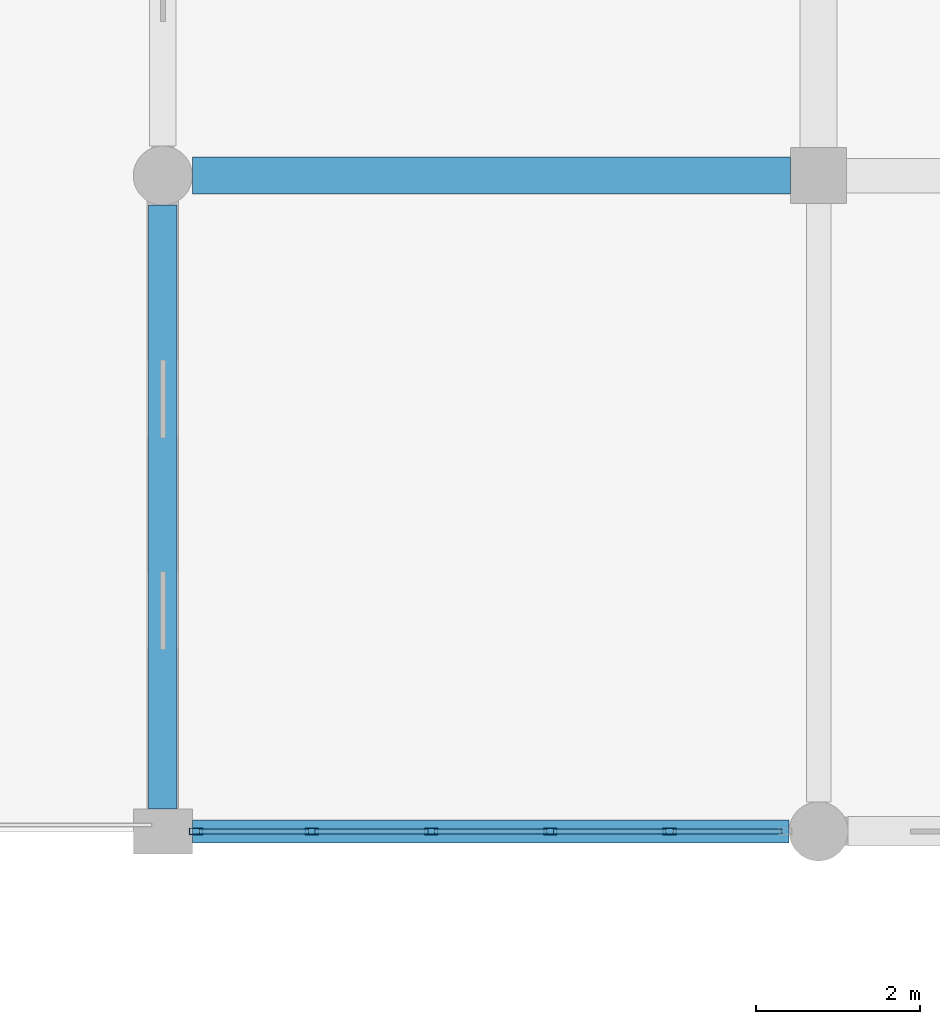
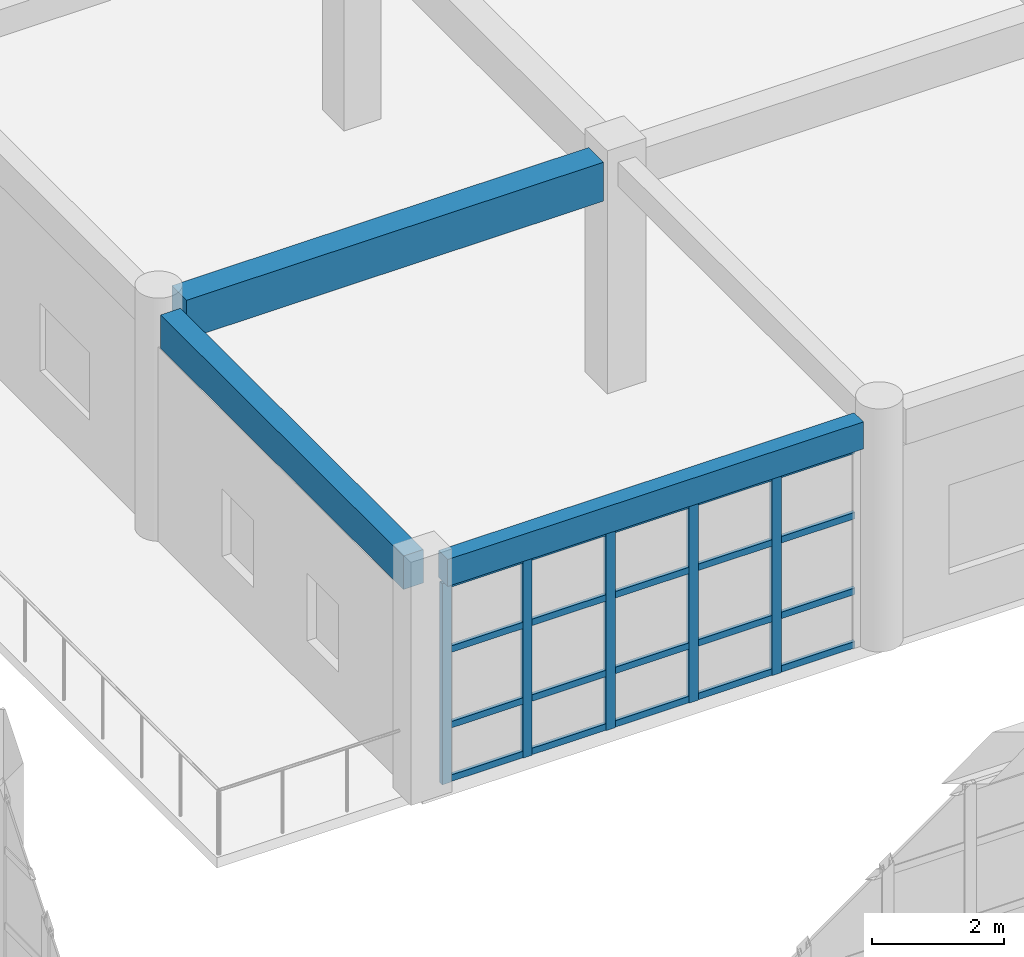
# One storey, part 90 of 160: 25 members, 3 beams, 1 element without a shape of its own.
"""IFC4 building model written with IfcOpenShell, lengths in metres."""

import ifcopenshell
import ifcopenshell.guid

model = None  # the IFC model being written
_history = None  # IfcOwnerHistory: only IFC2X3 demands one
_inside = {}  # id of a spatial element -> (the spatial element, [elements in it])
_under = {}  # id of a project, library or spatial element -> (it, [spatial elements below it])
_declared = {}  # id of a project -> (the project, [libraries it declares])
_typed = {}  # id of a type object -> (the type object, [elements of that type])
_made_of = {}  # id of a material, layer set ... -> (it, [elements and type objects made of it])


def new_model(schema):
    """Start an empty IFC model of exactly this schema.

    Asked for "IFC4X3", IfcOpenShell would pick the latest addendum, in which some entities
    have other attributes; the version numbers below select the first issue.
    IFC2X3 requires an IfcOwnerHistory on every rooted entity: one is made here for all.
    """
    global model, _history
    if schema == "IFC4X3":
        model = ifcopenshell.file(schema_version=(4, 3, 0, 0))
    else:
        model = ifcopenshell.file(schema=schema)
    _inside.clear()
    _under.clear()
    _declared.clear()
    _typed.clear()
    _made_of.clear()
    _history = None
    if model.schema == "IFC2X3":
        org = make("IfcOrganization", Name="unknown")
        user = make(
            "IfcPersonAndOrganization",
            ThePerson=make("IfcPerson", FamilyName="unknown"),
            TheOrganization=org,
        )
        app = make(
            "IfcApplication",
            ApplicationDeveloper=org,
            Version="unknown",
            ApplicationFullName="unknown",
            ApplicationIdentifier="unknown",
        )
        _history = make(
            "IfcOwnerHistory",
            OwningUser=user,
            OwningApplication=app,
            ChangeAction="ADDED",
            CreationDate=0,
        )
    return model


def make(cls, **values):
    """One entity of the class cls with the attributes given. An attribute that is None is left unset."""
    return model.create_entity(
        cls, **{name: value for name, value in values.items() if value is not None}
    )


def rooted(cls, **values):
    """An entity with a GlobalId (a new one), such as an element, a storey or a relation."""
    return make(cls, GlobalId=ifcopenshell.guid.new(), OwnerHistory=_history, **values)


def si_unit(unit_type, name, prefix=None):
    """IfcSIUnit, for example si_unit("LENGTHUNIT", "METRE", prefix="MILLI")."""
    return make("IfcSIUnit", UnitType=unit_type, Prefix=prefix, Name=name)


def assignment(units):
    """IfcUnitAssignment: the units of a project."""
    return None if units is None else make("IfcUnitAssignment", Units=units)


def point(xyz):
    """IfcCartesianPoint."""
    return None if xyz is None else make("IfcCartesianPoint", Coordinates=xyz)


def direction(xyz):
    """IfcDirection."""
    return None if xyz is None else make("IfcDirection", DirectionRatios=xyz)


def frame(location, z_axis=None, x_axis=None):
    """IfcAxis2Placement3D, a coordinate frame: its origin and axes. An axis left out is left unset."""
    return make(
        "IfcAxis2Placement3D",
        Location=point(location),
        Axis=direction(z_axis),
        RefDirection=direction(x_axis),
    )


def frame_2d(location, x_axis=None):
    """IfcAxis2Placement2D, a coordinate frame in the plane: its origin and x axis."""
    return make(
        "IfcAxis2Placement2D", Location=point(location), RefDirection=direction(x_axis)
    )


def origin():
    """The frame at (0, 0, 0) with its axes left unset."""
    return frame((0.0, 0.0, 0.0))


def origin_2d():
    """The frame at (0, 0) in the plane with its x axis left unset."""
    return frame_2d((0.0, 0.0))


def place(relative_to, where):
    """IfcLocalPlacement: puts the frame where relative to a parent placement (None: the world)."""
    return make(
        "IfcLocalPlacement", PlacementRelTo=relative_to, RelativePlacement=where
    )


def context(
    kind, dimensions, precision=None, world=None, true_north=None, identifier=None
):
    """IfcGeometricRepresentationContext, for example the 3D "Model" context."""
    return make(
        "IfcGeometricRepresentationContext",
        ContextIdentifier=identifier,
        ContextType=kind,
        CoordinateSpaceDimension=dimensions,
        Precision=precision,
        WorldCoordinateSystem=world,
        TrueNorth=true_north,
    )


def subcontext(parent, identifier, kind, view, scale=None):
    """IfcGeometricRepresentationSubContext, for example "Body" below "Model"."""
    return make(
        "IfcGeometricRepresentationSubContext",
        ContextIdentifier=identifier,
        ContextType=kind,
        ParentContext=parent,
        TargetScale=scale,
        TargetView=view,
    )


def project(units=None, contexts=None):
    """IfcProject with its units and contexts."""
    return rooted(
        "IfcProject",
        Name="project",
        RepresentationContexts=contexts,
        UnitsInContext=assignment(units),
    )


def spatial(cls, under=None, at=None, **own):
    """A site, building, storey or space (cls), placed at a placement, below another one or the project."""
    s = rooted(cls, ObjectPlacement=at, **own)
    if under is not None:
        _under.setdefault(under.id(), (under, []))[1].append(s)
    return s


def profile(cls, at=None, kind="AREA", **sizes):
    """A parametric profile (cls). Its sizes go by their IFC names, for example OverallWidth=200.0."""
    return make(cls, ProfileType=kind, Position=at, **sizes)


def rectangle(**sizes):
    """IfcRectangleProfileDef."""
    return profile("IfcRectangleProfileDef", **sizes)


def hollow_rectangle(**sizes):
    """IfcRectangleHollowProfileDef."""
    return profile("IfcRectangleHollowProfileDef", **sizes)


def extrude(swept, where, along, depth):
    """IfcExtrudedAreaSolid: the profile swept, set in the frame where, extruded along a direction by depth."""
    return make(
        "IfcExtrudedAreaSolid",
        SweptArea=swept,
        Position=where,
        ExtrudedDirection=direction(along),
        Depth=depth,
    )


def shape(context_of_items, identifier, shape_type, items):
    """IfcShapeRepresentation: the items that make up one representation, for example the "Body"."""
    return make(
        "IfcShapeRepresentation",
        ContextOfItems=context_of_items,
        RepresentationIdentifier=identifier,
        RepresentationType=shape_type,
        Items=items,
    )


def material(Name=None, Category=None):
    """IfcMaterial."""
    return make("IfcMaterial", Name=Name, Category=Category)


def material_profile(
    of_material, cross_section, Name=None, Category=None, Priority=None
):
    """IfcMaterialProfile: a cross section and its material."""
    return make(
        "IfcMaterialProfile",
        Name=Name,
        Material=of_material,
        Profile=cross_section,
        Priority=Priority,
        Category=Category,
    )


def profile_set(profiles, Name=None, composite=None):
    """IfcMaterialProfileSet."""
    return make(
        "IfcMaterialProfileSet",
        Name=Name,
        MaterialProfiles=profiles,
        CompositeProfile=composite,
    )


def made_of(thing, what):
    """Note that an element or type object is made of a material, layer set ...; save() writes the relation."""
    if what is not None:
        _made_of.setdefault(what.id(), (what, []))[1].append(thing)
    return thing


def type_object(cls, material=None, **own):
    """A type object (cls), such as IfcWallType, which elements share."""
    return made_of(rooted(cls, **own), material)


def element(
    cls,
    number,
    at=None,
    inside=None,
    cuts=None,
    type_object=None,
    material=None,
    context=None,
    identifier="Body",
    shape_type=None,
    held_by="IfcProductDefinitionShape",
    body=None,
    shapes=None,
    **own,
):
    """One element of the class cls, such as IfcWall. Its Tag is "e" and its number.

    at: its placement. inside: the storey or other place that contains it. cuts: it is an
    opening in that element (IfcRelVoidsElement). A single representation is given by context,
    identifier, shape_type and body (its items); several are given by shapes. held_by: the class
    of the entity that holds the representations. save() writes the other relations.
    """
    e = rooted(cls, Tag="e%d" % number, ObjectPlacement=at, **own)
    if body is not None:
        shapes = [shape(context, identifier, shape_type, body)]
    if shapes is not None:
        e.Representation = make(held_by, Representations=shapes)
    if inside is not None:
        _inside.setdefault(inside.id(), (inside, []))[1].append(e)
    if cuts is not None:
        rooted(
            "IfcRelVoidsElement", RelatingBuildingElement=cuts, RelatedOpeningElement=e
        )
    if type_object is not None:
        _typed.setdefault(type_object.id(), (type_object, []))[1].append(e)
    return made_of(e, material)


def aggregate(whole, parts):
    """IfcRelAggregates: a whole, such as a stair, and the parts it consists of."""
    return rooted("IfcRelAggregates", RelatingObject=whole, RelatedObjects=parts)


def save(model, path):
    """Write the relations noted so far, then the file.

    IfcRelAggregates (storeys below a building ...), IfcRelContainedInSpatialStructure (elements
    in a storey), IfcRelDefinesByType, IfcRelAssociatesMaterial and IfcRelDeclares: one each for
    every whole, place, type object, material and project.
    """
    for whole, parts in _under.values():
        aggregate(whole, parts)
    for where, things in _inside.values():
        rooted(
            "IfcRelContainedInSpatialStructure",
            RelatedElements=things,
            RelatingStructure=where,
        )
    for kind, things in _typed.values():
        rooted("IfcRelDefinesByType", RelatedObjects=things, RelatingType=kind)
    for what, things in _made_of.values():
        rooted("IfcRelAssociatesMaterial", RelatedObjects=things, RelatingMaterial=what)
    for by, libraries in _declared.values():
        rooted("IfcRelDeclares", RelatingContext=by, RelatedDefinitions=libraries)
    model.write(path)


model = new_model("IFC4")

# Units and contexts
model_context = context("Model", 3, precision=1e-05, world=origin(), true_north=direction((0.0, 1.0)))
body_context = subcontext(model_context, "Body", "Model", "MODEL_VIEW")
ifc_project = project(units=[si_unit("LENGTHUNIT", "METRE"), si_unit("AREAUNIT", "SQUARE_METRE"), si_unit("VOLUMEUNIT", "CUBIC_METRE"), si_unit("PLANEANGLEUNIT", "RADIAN"), si_unit("MASSUNIT", "GRAM", prefix="KILO")], contexts=[model_context])

# Site, building, storey
site_placement = place(None, origin())
site = spatial("IfcSite", under=ifc_project, at=site_placement, CompositionType="ELEMENT")
building_placement = place(site_placement, origin())
building = spatial("IfcBuilding", under=site, at=building_placement, Name="Kharva Crest Polytechnic", CompositionType="ELEMENT")
storey_placement = place(building_placement, frame((0.0, 0.0, 4.5)))
storey = spatial("IfcBuildingStorey", under=building, at=storey_placement, Name="L01", CompositionType="ELEMENT", Elevation=4.5)

# Beam
ifc_material_1 = material(Name="Concrete C35/45", Category="concrete")
ifc_material_profile_1 = material_profile(ifc_material_1, rectangle(XDim=0.449951171875, YDim=0.719970703125, at=origin_2d()), Name="RECT 450 X 720")
ifc_profile_set_1 = profile_set([ifc_material_profile_1], Name="Concrete C35/45")
beam_type_1 = type_object("IfcBeamType", Name="BM-RC-450X720", PredefinedType="BEAM", material=ifc_profile_set_1)
beam_1_placement = place(storey_placement, frame((153.159912109375, 46.800048828125, 3.860107421875), z_axis=(1.0, 0.0, 0.0), x_axis=(0.0, 1.0, 0.0)))
element("IfcBeam", 1, at=beam_1_placement, inside=storey, type_object=beam_type_1, Name="L01 Beam G/20-21", PredefinedType="BEAM", context=body_context, shape_type="SweptSolid", body=[
    extrude(rectangle(XDim=0.449951171875, YDim=0.719970703125, at=origin_2d()), origin(), (0.0, 0.0, 1.0), 7.300048828125),
])

# Curtain wall, members
ifc_material_2 = material(Name="Tempered insulated glass", Category="glass")
curtain_wall_type = type_object("IfcCurtainWallType", Name="CW-SYS-COURT", PredefinedType="USERDEFINED", material=ifc_material_2)
curtain_wall_placement = place(storey_placement, origin())
curtain_wall = element("IfcCurtainWall", 2, at=curtain_wall_placement, inside=storey, type_object=curtain_wall_type, Name="L01 Glazed Curtain Wall CW-056", ObjectType="CURTAIN WALL", PredefinedType="USERDEFINED")
ifc_material_3 = material(Name="Steel S355", Category="steel")
ifc_material_profile_2 = material_profile(ifc_material_3, hollow_rectangle(XDim=0.080078125, YDim=0.159912109375, WallThickness=0.0048828125, at=origin_2d()), Name="RHS 160X80X5.0")
ifc_profile_set_2 = profile_set([ifc_material_profile_2], Name="Steel S355")
member_type_1 = type_object("IfcMemberType", Name="CWM-RHS160X80", PredefinedType="MULLION", material=ifc_profile_set_2)
member_1_placement = place(storey_placement, frame((153.205078125, 38.800048828125, 0.0), z_axis=(0.0, 0.0, 1.0), x_axis=(0.0, 1.0, 0.0)))
member_1 = element("IfcMember", 3, at=member_1_placement, type_object=member_type_1, Name="CW-056 mullion 1", PredefinedType="MULLION", context=body_context, shape_type="SweptSolid", body=[
    extrude(hollow_rectangle(XDim=0.080078125, YDim=0.159912109375, WallThickness=0.0048828125, at=origin_2d()), origin(), (0.0, 0.0, 1.0), 3.719970703125),
])
member_2_placement = place(storey_placement, frame((154.618896484375, 38.800048828125, 0.0), z_axis=(0.0, 0.0, 1.0), x_axis=(0.0, 1.0, 0.0)))
member_2 = element("IfcMember", 4, at=member_2_placement, type_object=member_type_1, Name="CW-056 mullion 2", PredefinedType="MULLION", context=body_context, shape_type="SweptSolid", body=[
    extrude(hollow_rectangle(XDim=0.080078125, YDim=0.159912109375, WallThickness=0.0048828125, at=origin_2d()), origin(), (0.0, 0.0, 1.0), 3.719970703125),
])
member_3_placement = place(storey_placement, frame((156.072998046875, 38.800048828125, 0.0), z_axis=(0.0, 0.0, 1.0), x_axis=(0.0, 1.0, 0.0)))
member_3 = element("IfcMember", 5, at=member_3_placement, type_object=member_type_1, Name="CW-056 mullion 3", PredefinedType="MULLION", context=body_context, shape_type="SweptSolid", body=[
    extrude(hollow_rectangle(XDim=0.080078125, YDim=0.159912109375, WallThickness=0.0048828125, at=origin_2d()), origin(), (0.0, 0.0, 1.0), 3.719970703125),
])
member_4_placement = place(storey_placement, frame((157.527099609375, 38.800048828125, 0.0), z_axis=(0.0, 0.0, 1.0), x_axis=(0.0, 1.0, 0.0)))
member_4 = element("IfcMember", 6, at=member_4_placement, type_object=member_type_1, Name="CW-056 mullion 4", PredefinedType="MULLION", context=body_context, shape_type="SweptSolid", body=[
    extrude(hollow_rectangle(XDim=0.080078125, YDim=0.159912109375, WallThickness=0.0048828125, at=origin_2d()), origin(), (0.0, 0.0, 1.0), 3.719970703125),
])
member_5_placement = place(storey_placement, frame((158.98095703125, 38.800048828125, 0.0), z_axis=(0.0, 0.0, 1.0), x_axis=(0.0, 1.0, 0.0)))
member_5 = element("IfcMember", 7, at=member_5_placement, type_object=member_type_1, Name="CW-056 mullion 5", PredefinedType="MULLION", context=body_context, shape_type="SweptSolid", body=[
    extrude(hollow_rectangle(XDim=0.080078125, YDim=0.159912109375, WallThickness=0.0048828125, at=origin_2d()), origin(), (0.0, 0.0, 1.0), 3.719970703125),
])
ifc_material_profile_3 = material_profile(ifc_material_3, hollow_rectangle(XDim=0.06005859375, YDim=0.1201171875, WallThickness=0.00390625, at=origin_2d()), Name="RHS 120X60X4.0")
ifc_profile_set_3 = profile_set([ifc_material_profile_3], Name="Steel S355")
member_type_2 = type_object("IfcMemberType", Name="CWT-RHS120X60", PredefinedType="USERDEFINED", material=ifc_profile_set_3)
member_6_placement = place(storey_placement, frame((153.2451171875, 38.800048828125, 0.06005859375), z_axis=(1.0, 0.0, 0.0), x_axis=(0.0, 1.0, 0.0)))
member_6 = element("IfcMember", 8, at=member_6_placement, type_object=member_type_2, Name="CW-056 transom 1.1", ObjectType="TRANSOM", PredefinedType="USERDEFINED", context=body_context, shape_type="SweptSolid", body=[
    extrude(hollow_rectangle(XDim=0.06005859375, YDim=0.1201171875, WallThickness=0.00390625, at=origin_2d()), origin(), (0.0, 0.0, 1.0), 1.333984375),
])
member_7_placement = place(storey_placement, frame((153.2451171875, 38.800048828125, 1.050048828125), z_axis=(1.0, 0.0, 0.0), x_axis=(0.0, 1.0, 0.0)))
member_7 = element("IfcMember", 9, at=member_7_placement, type_object=member_type_2, Name="CW-056 transom 1.2", ObjectType="TRANSOM", PredefinedType="USERDEFINED", context=body_context, shape_type="SweptSolid", body=[
    extrude(hollow_rectangle(XDim=0.06005859375, YDim=0.1201171875, WallThickness=0.00390625, at=origin_2d()), origin(), (0.0, 0.0, 1.0), 1.333984375),
])
member_8_placement = place(storey_placement, frame((153.2451171875, 38.800048828125, 2.449951171875), z_axis=(1.0, 0.0, 0.0), x_axis=(0.0, 1.0, 0.0)))
member_8 = element("IfcMember", 10, at=member_8_placement, type_object=member_type_2, Name="CW-056 transom 1.3", ObjectType="TRANSOM", PredefinedType="USERDEFINED", context=body_context, shape_type="SweptSolid", body=[
    extrude(hollow_rectangle(XDim=0.06005859375, YDim=0.1201171875, WallThickness=0.00390625, at=origin_2d()), origin(), (0.0, 0.0, 1.0), 1.333984375),
])
member_9_placement = place(storey_placement, frame((153.2451171875, 38.800048828125, 3.659912109375), z_axis=(1.0, 0.0, 0.0), x_axis=(0.0, 1.0, 0.0)))
member_9 = element("IfcMember", 11, at=member_9_placement, type_object=member_type_2, Name="CW-056 transom 1.4", ObjectType="TRANSOM", PredefinedType="USERDEFINED", context=body_context, shape_type="SweptSolid", body=[
    extrude(hollow_rectangle(XDim=0.06005859375, YDim=0.1201171875, WallThickness=0.00390625, at=origin_2d()), origin(), (0.0, 0.0, 1.0), 1.333984375),
])
member_10_placement = place(storey_placement, frame((154.658935546875, 38.800048828125, 0.06005859375), z_axis=(1.0, 0.0, 0.0), x_axis=(0.0, 1.0, 0.0)))
member_10 = element("IfcMember", 12, at=member_10_placement, type_object=member_type_2, Name="CW-056 transom 2.1", ObjectType="TRANSOM", PredefinedType="USERDEFINED", context=body_context, shape_type="SweptSolid", body=[
    extrude(hollow_rectangle(XDim=0.06005859375, YDim=0.1201171875, WallThickness=0.00390625, at=origin_2d()), origin(), (0.0, 0.0, 1.0), 1.3740234375),
])
member_11_placement = place(storey_placement, frame((154.658935546875, 38.800048828125, 1.050048828125), z_axis=(1.0, 0.0, 0.0), x_axis=(0.0, 1.0, 0.0)))
member_11 = element("IfcMember", 13, at=member_11_placement, type_object=member_type_2, Name="CW-056 transom 2.2", ObjectType="TRANSOM", PredefinedType="USERDEFINED", context=body_context, shape_type="SweptSolid", body=[
    extrude(hollow_rectangle(XDim=0.06005859375, YDim=0.1201171875, WallThickness=0.00390625, at=origin_2d()), origin(), (0.0, 0.0, 1.0), 1.3740234375),
])
member_12_placement = place(storey_placement, frame((154.658935546875, 38.800048828125, 2.449951171875), z_axis=(1.0, 0.0, 0.0), x_axis=(0.0, 1.0, 0.0)))
member_12 = element("IfcMember", 14, at=member_12_placement, type_object=member_type_2, Name="CW-056 transom 2.3", ObjectType="TRANSOM", PredefinedType="USERDEFINED", context=body_context, shape_type="SweptSolid", body=[
    extrude(hollow_rectangle(XDim=0.06005859375, YDim=0.1201171875, WallThickness=0.00390625, at=origin_2d()), origin(), (0.0, 0.0, 1.0), 1.3740234375),
])
member_13_placement = place(storey_placement, frame((154.658935546875, 38.800048828125, 3.659912109375), z_axis=(1.0, 0.0, 0.0), x_axis=(0.0, 1.0, 0.0)))
member_13 = element("IfcMember", 15, at=member_13_placement, type_object=member_type_2, Name="CW-056 transom 2.4", ObjectType="TRANSOM", PredefinedType="USERDEFINED", context=body_context, shape_type="SweptSolid", body=[
    extrude(hollow_rectangle(XDim=0.06005859375, YDim=0.1201171875, WallThickness=0.00390625, at=origin_2d()), origin(), (0.0, 0.0, 1.0), 1.3740234375),
])
member_14_placement = place(storey_placement, frame((156.113037109375, 38.800048828125, 0.06005859375), z_axis=(1.0, 0.0, 0.0), x_axis=(0.0, 1.0, 0.0)))
member_14 = element("IfcMember", 16, at=member_14_placement, type_object=member_type_2, Name="CW-056 transom 3.1", ObjectType="TRANSOM", PredefinedType="USERDEFINED", context=body_context, shape_type="SweptSolid", body=[
    extrude(hollow_rectangle(XDim=0.06005859375, YDim=0.1201171875, WallThickness=0.00390625, at=origin_2d()), origin(), (0.0, 0.0, 1.0), 1.3740234375),
])
member_15_placement = place(storey_placement, frame((156.113037109375, 38.800048828125, 1.050048828125), z_axis=(1.0, 0.0, 0.0), x_axis=(0.0, 1.0, 0.0)))
member_15 = element("IfcMember", 17, at=member_15_placement, type_object=member_type_2, Name="CW-056 transom 3.2", ObjectType="TRANSOM", PredefinedType="USERDEFINED", context=body_context, shape_type="SweptSolid", body=[
    extrude(hollow_rectangle(XDim=0.06005859375, YDim=0.1201171875, WallThickness=0.00390625, at=origin_2d()), origin(), (0.0, 0.0, 1.0), 1.3740234375),
])
member_16_placement = place(storey_placement, frame((156.113037109375, 38.800048828125, 2.449951171875), z_axis=(1.0, 0.0, 0.0), x_axis=(0.0, 1.0, 0.0)))
member_16 = element("IfcMember", 18, at=member_16_placement, type_object=member_type_2, Name="CW-056 transom 3.3", ObjectType="TRANSOM", PredefinedType="USERDEFINED", context=body_context, shape_type="SweptSolid", body=[
    extrude(hollow_rectangle(XDim=0.06005859375, YDim=0.1201171875, WallThickness=0.00390625, at=origin_2d()), origin(), (0.0, 0.0, 1.0), 1.3740234375),
])
member_17_placement = place(storey_placement, frame((156.113037109375, 38.800048828125, 3.659912109375), z_axis=(1.0, 0.0, 0.0), x_axis=(0.0, 1.0, 0.0)))
member_17 = element("IfcMember", 19, at=member_17_placement, type_object=member_type_2, Name="CW-056 transom 3.4", ObjectType="TRANSOM", PredefinedType="USERDEFINED", context=body_context, shape_type="SweptSolid", body=[
    extrude(hollow_rectangle(XDim=0.06005859375, YDim=0.1201171875, WallThickness=0.00390625, at=origin_2d()), origin(), (0.0, 0.0, 1.0), 1.3740234375),
])
member_18_placement = place(storey_placement, frame((157.56689453125, 38.800048828125, 0.06005859375), z_axis=(1.0, 0.0, 0.0), x_axis=(0.0, 1.0, 0.0)))
member_18 = element("IfcMember", 20, at=member_18_placement, type_object=member_type_2, Name="CW-056 transom 4.1", ObjectType="TRANSOM", PredefinedType="USERDEFINED", context=body_context, shape_type="SweptSolid", body=[
    extrude(hollow_rectangle(XDim=0.06005859375, YDim=0.1201171875, WallThickness=0.00390625, at=origin_2d()), origin(), (0.0, 0.0, 1.0), 1.3740234375),
])
member_19_placement = place(storey_placement, frame((157.56689453125, 38.800048828125, 1.050048828125), z_axis=(1.0, 0.0, 0.0), x_axis=(0.0, 1.0, 0.0)))
member_19 = element("IfcMember", 21, at=member_19_placement, type_object=member_type_2, Name="CW-056 transom 4.2", ObjectType="TRANSOM", PredefinedType="USERDEFINED", context=body_context, shape_type="SweptSolid", body=[
    extrude(hollow_rectangle(XDim=0.06005859375, YDim=0.1201171875, WallThickness=0.00390625, at=origin_2d()), origin(), (0.0, 0.0, 1.0), 1.3740234375),
])
member_20_placement = place(storey_placement, frame((157.56689453125, 38.800048828125, 2.449951171875), z_axis=(1.0, 0.0, 0.0), x_axis=(0.0, 1.0, 0.0)))
member_20 = element("IfcMember", 22, at=member_20_placement, type_object=member_type_2, Name="CW-056 transom 4.3", ObjectType="TRANSOM", PredefinedType="USERDEFINED", context=body_context, shape_type="SweptSolid", body=[
    extrude(hollow_rectangle(XDim=0.06005859375, YDim=0.1201171875, WallThickness=0.00390625, at=origin_2d()), origin(), (0.0, 0.0, 1.0), 1.3740234375),
])
member_21_placement = place(storey_placement, frame((157.56689453125, 38.800048828125, 3.659912109375), z_axis=(1.0, 0.0, 0.0), x_axis=(0.0, 1.0, 0.0)))
member_21 = element("IfcMember", 23, at=member_21_placement, type_object=member_type_2, Name="CW-056 transom 4.4", ObjectType="TRANSOM", PredefinedType="USERDEFINED", context=body_context, shape_type="SweptSolid", body=[
    extrude(hollow_rectangle(XDim=0.06005859375, YDim=0.1201171875, WallThickness=0.00390625, at=origin_2d()), origin(), (0.0, 0.0, 1.0), 1.3740234375),
])
member_22_placement = place(storey_placement, frame((159.02099609375, 38.800048828125, 0.06005859375), z_axis=(1.0, 0.0, 0.0), x_axis=(0.0, 1.0, 0.0)))
member_22 = element("IfcMember", 24, at=member_22_placement, type_object=member_type_2, Name="CW-056 transom 5.1", ObjectType="TRANSOM", PredefinedType="USERDEFINED", context=body_context, shape_type="SweptSolid", body=[
    extrude(hollow_rectangle(XDim=0.06005859375, YDim=0.1201171875, WallThickness=0.00390625, at=origin_2d()), origin(), (0.0, 0.0, 1.0), 1.333984375),
])
member_23_placement = place(storey_placement, frame((159.02099609375, 38.800048828125, 1.050048828125), z_axis=(1.0, 0.0, 0.0), x_axis=(0.0, 1.0, 0.0)))
member_23 = element("IfcMember", 25, at=member_23_placement, type_object=member_type_2, Name="CW-056 transom 5.2", ObjectType="TRANSOM", PredefinedType="USERDEFINED", context=body_context, shape_type="SweptSolid", body=[
    extrude(hollow_rectangle(XDim=0.06005859375, YDim=0.1201171875, WallThickness=0.00390625, at=origin_2d()), origin(), (0.0, 0.0, 1.0), 1.333984375),
])
member_24_placement = place(storey_placement, frame((159.02099609375, 38.800048828125, 2.449951171875), z_axis=(1.0, 0.0, 0.0), x_axis=(0.0, 1.0, 0.0)))
member_24 = element("IfcMember", 26, at=member_24_placement, type_object=member_type_2, Name="CW-056 transom 5.3", ObjectType="TRANSOM", PredefinedType="USERDEFINED", context=body_context, shape_type="SweptSolid", body=[
    extrude(hollow_rectangle(XDim=0.06005859375, YDim=0.1201171875, WallThickness=0.00390625, at=origin_2d()), origin(), (0.0, 0.0, 1.0), 1.333984375),
])
member_25_placement = place(storey_placement, frame((159.02099609375, 38.800048828125, 3.659912109375), z_axis=(1.0, 0.0, 0.0), x_axis=(0.0, 1.0, 0.0)))
member_25 = element("IfcMember", 27, at=member_25_placement, type_object=member_type_2, Name="CW-056 transom 5.4", ObjectType="TRANSOM", PredefinedType="USERDEFINED", context=body_context, shape_type="SweptSolid", body=[
    extrude(hollow_rectangle(XDim=0.06005859375, YDim=0.1201171875, WallThickness=0.00390625, at=origin_2d()), origin(), (0.0, 0.0, 1.0), 1.333984375),
])
aggregate(curtain_wall, [member_1, member_2, member_3, member_4, member_5, member_6, member_7, member_8, member_9, member_10, member_11, member_12, member_13, member_14, member_15, member_16, member_17, member_18, member_19, member_20, member_21, member_22, member_23, member_24, member_25])

# Beams
ifc_material_profile_4 = material_profile(ifc_material_1, rectangle(XDim=0.280029296875, YDim=0.5, at=origin_2d()), Name="RECT 280 X 500")
ifc_profile_set_4 = profile_set([ifc_material_profile_4], Name="Concrete C35/45")
beam_type_2 = type_object("IfcBeamType", Name="SP-RC-280X500", PredefinedType="SPANDREL", material=ifc_profile_set_4)
beam_2_placement = place(storey_placement, frame((153.159912109375, 38.800048828125, 3.969970703125), z_axis=(1.0, 0.0, 0.0), x_axis=(0.0, 1.0, 0.0)))
element("IfcBeam", 28, at=beam_2_placement, inside=storey, type_object=beam_type_2, Name="L01 Beam FJ/20-21", PredefinedType="SPANDREL", context=body_context, shape_type="SweptSolid", body=[
    extrude(rectangle(XDim=0.280029296875, YDim=0.5, at=origin_2d()), origin(), (0.0, 0.0, 1.0), 7.280029296875),
])
ifc_material_profile_5 = material_profile(ifc_material_1, rectangle(XDim=0.35009765625, YDim=0.6201171875, at=origin_2d()), Name="RECT 350 X 620")
ifc_profile_set_5 = profile_set([ifc_material_profile_5], Name="Concrete C35/45")
beam_type_3 = type_object("IfcBeamType", Name="SP-RC-350X620", PredefinedType="SPANDREL", material=ifc_profile_set_5)
beam_3_placement = place(storey_placement, frame((152.800048828125, 39.074951171875, 3.909912109375), z_axis=(0.0, 1.0, 0.0), x_axis=(-1.0, 0.0, 0.0)))
element("IfcBeam", 29, at=beam_3_placement, inside=storey, type_object=beam_type_3, Name="L01 Girder 20/FJ-G", PredefinedType="SPANDREL", context=body_context, shape_type="SweptSolid", body=[
    extrude(rectangle(XDim=0.35009765625, YDim=0.6201171875, at=origin_2d()), origin(), (0.0, 0.0, 1.0), 7.364990234375),
])

save(model, "model.ifc")
